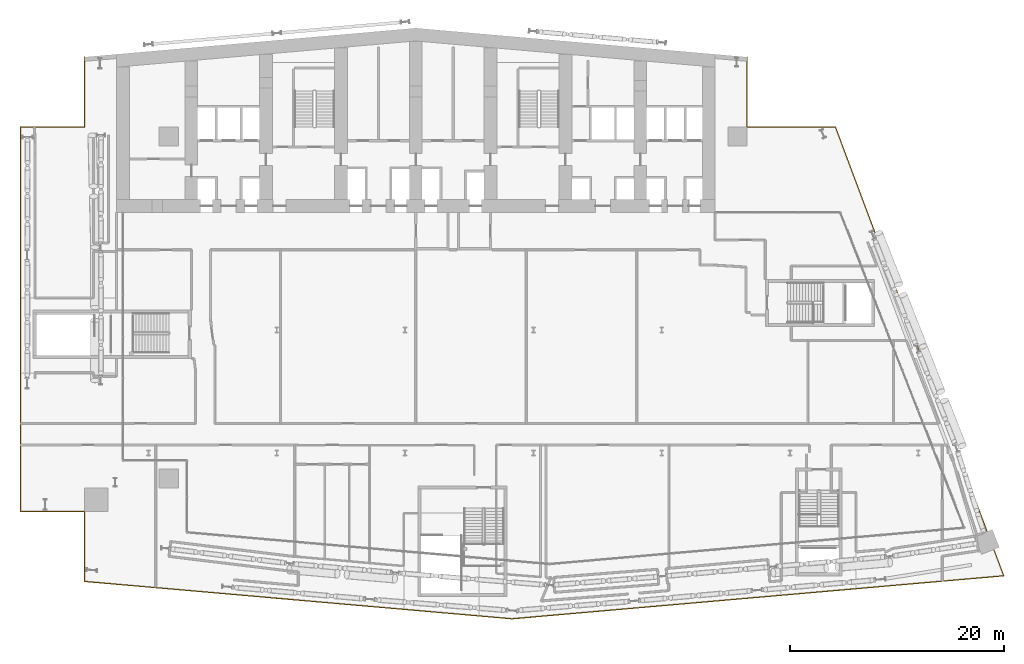
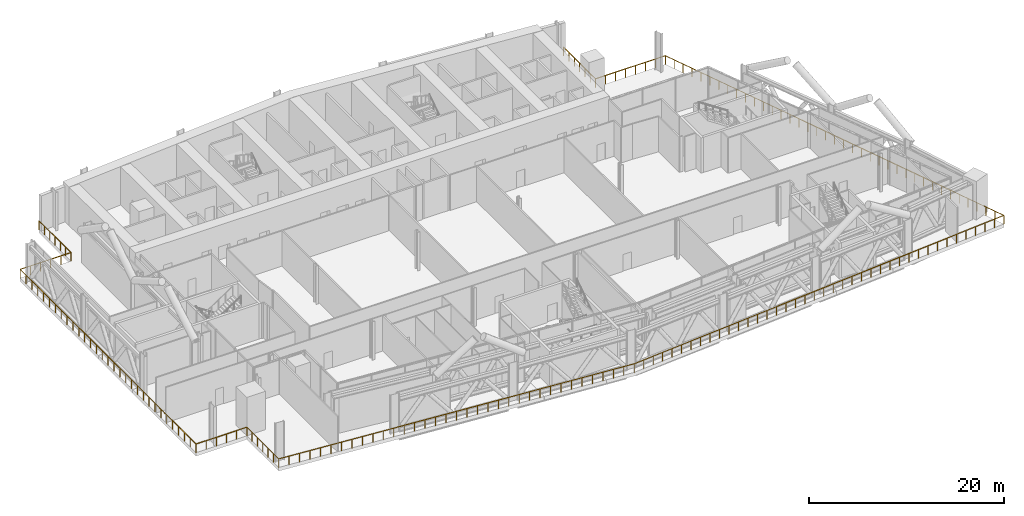
# One storey, part 37 of 39: 1 railing.
"""IFC4 building model written with IfcOpenShell, lengths in metres."""

import ifcopenshell
import ifcopenshell.guid

model = None  # the IFC model being written
_history = None  # IfcOwnerHistory: only IFC2X3 demands one
_inside = {}  # id of a spatial element -> (the spatial element, [elements in it])
_under = {}  # id of a project, library or spatial element -> (it, [spatial elements below it])
_declared = {}  # id of a project -> (the project, [libraries it declares])
_typed = {}  # id of a type object -> (the type object, [elements of that type])
_made_of = {}  # id of a material, layer set ... -> (it, [elements and type objects made of it])


def new_model(schema):
    """Start an empty IFC model of exactly this schema.

    Asked for "IFC4X3", IfcOpenShell would pick the latest addendum, in which some entities
    have other attributes; the version numbers below select the first issue.
    IFC2X3 requires an IfcOwnerHistory on every rooted entity: one is made here for all.
    """
    global model, _history
    if schema == "IFC4X3":
        model = ifcopenshell.file(schema_version=(4, 3, 0, 0))
    else:
        model = ifcopenshell.file(schema=schema)
    _inside.clear()
    _under.clear()
    _declared.clear()
    _typed.clear()
    _made_of.clear()
    _history = None
    if model.schema == "IFC2X3":
        org = make("IfcOrganization", Name="unknown")
        user = make(
            "IfcPersonAndOrganization",
            ThePerson=make("IfcPerson", FamilyName="unknown"),
            TheOrganization=org,
        )
        app = make(
            "IfcApplication",
            ApplicationDeveloper=org,
            Version="unknown",
            ApplicationFullName="unknown",
            ApplicationIdentifier="unknown",
        )
        _history = make(
            "IfcOwnerHistory",
            OwningUser=user,
            OwningApplication=app,
            ChangeAction="ADDED",
            CreationDate=0,
        )
    return model


def make(cls, **values):
    """One entity of the class cls with the attributes given. An attribute that is None is left unset."""
    return model.create_entity(
        cls, **{name: value for name, value in values.items() if value is not None}
    )


def rooted(cls, **values):
    """An entity with a GlobalId (a new one), such as an element, a storey or a relation."""
    return make(cls, GlobalId=ifcopenshell.guid.new(), OwnerHistory=_history, **values)


def si_unit(unit_type, name, prefix=None):
    """IfcSIUnit, for example si_unit("LENGTHUNIT", "METRE", prefix="MILLI")."""
    return make("IfcSIUnit", UnitType=unit_type, Prefix=prefix, Name=name)


def assignment(units):
    """IfcUnitAssignment: the units of a project."""
    return None if units is None else make("IfcUnitAssignment", Units=units)


def point(xyz):
    """IfcCartesianPoint."""
    return None if xyz is None else make("IfcCartesianPoint", Coordinates=xyz)


def direction(xyz):
    """IfcDirection."""
    return None if xyz is None else make("IfcDirection", DirectionRatios=xyz)


def frame(location, z_axis=None, x_axis=None):
    """IfcAxis2Placement3D, a coordinate frame: its origin and axes. An axis left out is left unset."""
    return make(
        "IfcAxis2Placement3D",
        Location=point(location),
        Axis=direction(z_axis),
        RefDirection=direction(x_axis),
    )


def frame_2d(location, x_axis=None):
    """IfcAxis2Placement2D, a coordinate frame in the plane: its origin and x axis."""
    return make(
        "IfcAxis2Placement2D", Location=point(location), RefDirection=direction(x_axis)
    )


def origin():
    """The frame at (0, 0, 0) with its axes left unset."""
    return frame((0.0, 0.0, 0.0))


def origin_2d():
    """The frame at (0, 0) in the plane with its x axis left unset."""
    return frame_2d((0.0, 0.0))


def place(relative_to, where):
    """IfcLocalPlacement: puts the frame where relative to a parent placement (None: the world)."""
    return make(
        "IfcLocalPlacement", PlacementRelTo=relative_to, RelativePlacement=where
    )


def context(
    kind, dimensions, precision=None, world=None, true_north=None, identifier=None
):
    """IfcGeometricRepresentationContext, for example the 3D "Model" context."""
    return make(
        "IfcGeometricRepresentationContext",
        ContextIdentifier=identifier,
        ContextType=kind,
        CoordinateSpaceDimension=dimensions,
        Precision=precision,
        WorldCoordinateSystem=world,
        TrueNorth=true_north,
    )


def subcontext(parent, identifier, kind, view, scale=None):
    """IfcGeometricRepresentationSubContext, for example "Body" below "Model"."""
    return make(
        "IfcGeometricRepresentationSubContext",
        ContextIdentifier=identifier,
        ContextType=kind,
        ParentContext=parent,
        TargetScale=scale,
        TargetView=view,
    )


def project(units=None, contexts=None):
    """IfcProject with its units and contexts."""
    return rooted(
        "IfcProject",
        Name="project",
        RepresentationContexts=contexts,
        UnitsInContext=assignment(units),
    )


def spatial(cls, under=None, at=None, **own):
    """A site, building, storey or space (cls), placed at a placement, below another one or the project."""
    s = rooted(cls, ObjectPlacement=at, **own)
    if under is not None:
        _under.setdefault(under.id(), (under, []))[1].append(s)
    return s


def profile(cls, at=None, kind="AREA", **sizes):
    """A parametric profile (cls). Its sizes go by their IFC names, for example OverallWidth=200.0."""
    return make(cls, ProfileType=kind, Position=at, **sizes)


def circle(**sizes):
    """IfcCircleProfileDef."""
    return profile("IfcCircleProfileDef", **sizes)


def extrude(swept, where, along, depth):
    """IfcExtrudedAreaSolid: the profile swept, set in the frame where, extruded along a direction by depth."""
    return make(
        "IfcExtrudedAreaSolid",
        SweptArea=swept,
        Position=where,
        ExtrudedDirection=direction(along),
        Depth=depth,
    )


def shape(context_of_items, identifier, shape_type, items):
    """IfcShapeRepresentation: the items that make up one representation, for example the "Body"."""
    return make(
        "IfcShapeRepresentation",
        ContextOfItems=context_of_items,
        RepresentationIdentifier=identifier,
        RepresentationType=shape_type,
        Items=items,
    )


def material(Name=None, Category=None):
    """IfcMaterial."""
    return make("IfcMaterial", Name=Name, Category=Category)


def made_of(thing, what):
    """Note that an element or type object is made of a material, layer set ...; save() writes the relation."""
    if what is not None:
        _made_of.setdefault(what.id(), (what, []))[1].append(thing)
    return thing


def type_object(cls, material=None, **own):
    """A type object (cls), such as IfcWallType, which elements share."""
    return made_of(rooted(cls, **own), material)


def element(
    cls,
    number,
    at=None,
    inside=None,
    cuts=None,
    type_object=None,
    material=None,
    context=None,
    identifier="Body",
    shape_type=None,
    held_by="IfcProductDefinitionShape",
    body=None,
    shapes=None,
    **own,
):
    """One element of the class cls, such as IfcWall. Its Tag is "e" and its number.

    at: its placement. inside: the storey or other place that contains it. cuts: it is an
    opening in that element (IfcRelVoidsElement). A single representation is given by context,
    identifier, shape_type and body (its items); several are given by shapes. held_by: the class
    of the entity that holds the representations. save() writes the other relations.
    """
    e = rooted(cls, Tag="e%d" % number, ObjectPlacement=at, **own)
    if body is not None:
        shapes = [shape(context, identifier, shape_type, body)]
    if shapes is not None:
        e.Representation = make(held_by, Representations=shapes)
    if inside is not None:
        _inside.setdefault(inside.id(), (inside, []))[1].append(e)
    if cuts is not None:
        rooted(
            "IfcRelVoidsElement", RelatingBuildingElement=cuts, RelatedOpeningElement=e
        )
    if type_object is not None:
        _typed.setdefault(type_object.id(), (type_object, []))[1].append(e)
    return made_of(e, material)


def aggregate(whole, parts):
    """IfcRelAggregates: a whole, such as a stair, and the parts it consists of."""
    return rooted("IfcRelAggregates", RelatingObject=whole, RelatedObjects=parts)


def save(model, path):
    """Write the relations noted so far, then the file.

    IfcRelAggregates (storeys below a building ...), IfcRelContainedInSpatialStructure (elements
    in a storey), IfcRelDefinesByType, IfcRelAssociatesMaterial and IfcRelDeclares: one each for
    every whole, place, type object, material and project.
    """
    for whole, parts in _under.values():
        aggregate(whole, parts)
    for where, things in _inside.values():
        rooted(
            "IfcRelContainedInSpatialStructure",
            RelatedElements=things,
            RelatingStructure=where,
        )
    for kind, things in _typed.values():
        rooted("IfcRelDefinesByType", RelatedObjects=things, RelatingType=kind)
    for what, things in _made_of.values():
        rooted("IfcRelAssociatesMaterial", RelatedObjects=things, RelatingMaterial=what)
    for by, libraries in _declared.values():
        rooted("IfcRelDeclares", RelatingContext=by, RelatedDefinitions=libraries)
    model.write(path)


model = new_model("IFC4")

# Units and contexts
model_context = context("Model", 3, precision=1e-05, world=origin(), true_north=direction((0.0, 1.0)))
body_context = subcontext(model_context, "Body", "Model", "MODEL_VIEW")
ifc_project = project(units=[si_unit("LENGTHUNIT", "METRE"), si_unit("AREAUNIT", "SQUARE_METRE"), si_unit("VOLUMEUNIT", "CUBIC_METRE"), si_unit("PLANEANGLEUNIT", "RADIAN"), si_unit("MASSUNIT", "GRAM", prefix="KILO")], contexts=[model_context])

# Site, building, storey
site_placement = place(None, origin())
site = spatial("IfcSite", under=ifc_project, at=site_placement, CompositionType="ELEMENT")
building_placement = place(site_placement, origin())
building = spatial("IfcBuilding", under=site, at=building_placement, Name="Wharfspan Tower", CompositionType="ELEMENT")
storey_placement = place(building_placement, frame((0.0, 0.0, 91.899902)))
storey = spatial("IfcBuildingStorey", under=building, at=storey_placement, Name="L20", CompositionType="ELEMENT", Elevation=91.899902)

# Railing
ifc_material = material(Name="Steel S355J2", Category="steel")
railing_type = type_object("IfcRailingType", Name="GUARD 1100 STEEL AND GLASS", PredefinedType="GUARDRAIL", material=ifc_material)
railing_placement = place(storey_placement, frame((6.0, 48.524902, 0.0)))
element("IfcRailing", 1, at=railing_placement, inside=storey, type_object=railing_type, Name="Band edge guard", PredefinedType="GUARDRAIL", context=body_context, shape_type="SweptSolid", body=[
    extrude(circle(Radius=0.024902, at=origin_2d()), frame((0.0, 0.0, 1.075195), z_axis=(0.0, -1.0, 0.0), x_axis=(1.0, 0.0, 0.0)), (0.0, 0.0, 1.0), 6.524902),
    extrude(circle(Radius=0.024902, at=origin_2d()), frame((0.0, -6.524902, 1.075195), z_axis=(-1.0, 0.0, 0.0), x_axis=(0.0, -1.0, 0.0)), (0.0, 0.0, 1.0), 6.0),
    extrude(circle(Radius=0.024902, at=origin_2d()), frame((-6.0, -6.524902, 1.075195), z_axis=(0.0, -1.0, 0.0), x_axis=(1.0, 0.0, 0.0)), (0.0, 0.0, 1.0), 36.0),
    extrude(circle(Radius=0.024902, at=origin_2d()), frame((-6.0, -42.524902, 1.075195), z_axis=(1.0, 0.0, 0.0), x_axis=(0.0, 1.0, 0.0)), (0.0, 0.0, 1.0), 6.0),
    extrude(circle(Radius=0.024902, at=origin_2d()), frame((0.0, -42.524902, 1.075195), z_axis=(0.0, -1.0, 0.0), x_axis=(1.0, 0.0, 0.0)), (0.0, 0.0, 1.0), 6.524902),
    extrude(circle(Radius=0.024902, at=origin_2d()), frame((0.0, -49.049805, 1.075195), z_axis=(0.996195, -0.087155, 0.0), x_axis=(0.087155, 0.996195, 0.0)), (0.0, 0.0, 1.0), 40.152832),
    extrude(circle(Radius=0.024902, at=origin_2d()), frame((40.0, -52.549316, 1.075195), z_axis=(0.996195, 0.087154, 0.0), x_axis=(-0.087154, 0.996195, 0.0)), (0.0, 0.0, 1.0), 46.175781),
    extrude(circle(Radius=0.024902, at=origin_2d()), frame((86.0, -48.524902, 1.075195), z_axis=(-0.351123, 0.936329, 0.0), x_axis=(-0.936329, -0.351123, 0.0)), (0.0, 0.0, 1.0), 44.855957),
    extrude(circle(Radius=0.024902, at=origin_2d()), frame((70.25, -6.524902, 1.075195), z_axis=(-1.0, 0.0, 0.0), x_axis=(0.0, -1.0, 0.0)), (0.0, 0.0, 1.0), 8.25),
    extrude(circle(Radius=0.024902, at=origin_2d()), frame((62.0, -6.524902, 1.075195), z_axis=(0.0, 1.0, 0.0), x_axis=(-1.0, 0.0, 0.0)), (0.0, 0.0, 1.0), 6.524902),
    extrude(circle(Radius=0.02002, at=origin_2d()), origin(), (0.0, 0.0, 1.0), 1.050049),
    extrude(circle(Radius=0.02002, at=origin_2d()), frame((0.0, -1.087402, 0.0)), (0.0, 0.0, 1.0), 1.050049),
    extrude(circle(Radius=0.02002, at=origin_2d()), frame((0.0, -2.175049, 0.0)), (0.0, 0.0, 1.0), 1.050049),
    extrude(circle(Radius=0.02002, at=origin_2d()), frame((0.0, -3.262451, 0.0)), (0.0, 0.0, 1.0), 1.050049),
    extrude(circle(Radius=0.02002, at=origin_2d()), frame((0.0, -4.349854, 0.0)), (0.0, 0.0, 1.0), 1.050049),
    extrude(circle(Radius=0.02002, at=origin_2d()), frame((0.0, -5.4375, 0.0)), (0.0, 0.0, 1.0), 1.050049),
    extrude(circle(Radius=0.02002, at=origin_2d()), frame((0.0, -6.524902, 0.0)), (0.0, 0.0, 1.0), 1.050049),
    extrude(circle(Radius=0.02002, at=origin_2d()), frame((-1.199951, -6.524902, 0.0)), (0.0, 0.0, 1.0), 1.050049),
    extrude(circle(Radius=0.02002, at=origin_2d()), frame((-2.399902, -6.524902, 0.0)), (0.0, 0.0, 1.0), 1.050049),
    extrude(circle(Radius=0.02002, at=origin_2d()), frame((-3.600098, -6.524902, 0.0)), (0.0, 0.0, 1.0), 1.050049),
    extrude(circle(Radius=0.02002, at=origin_2d()), frame((-4.800049, -6.524902, 0.0)), (0.0, 0.0, 1.0), 1.050049),
    extrude(circle(Radius=0.02002, at=origin_2d()), frame((-6.0, -6.524902, 0.0)), (0.0, 0.0, 1.0), 1.050049),
    extrude(circle(Radius=0.02002, at=origin_2d()), frame((-6.0, -7.724854, 0.0)), (0.0, 0.0, 1.0), 1.050049),
    extrude(circle(Radius=0.02002, at=origin_2d()), frame((-6.0, -8.924805, 0.0)), (0.0, 0.0, 1.0), 1.050049),
    extrude(circle(Radius=0.02002, at=origin_2d()), frame((-6.0, -10.125, 0.0)), (0.0, 0.0, 1.0), 1.050049),
    extrude(circle(Radius=0.02002, at=origin_2d()), frame((-6.0, -11.324951, 0.0)), (0.0, 0.0, 1.0), 1.050049),
    extrude(circle(Radius=0.02002, at=origin_2d()), frame((-6.0, -12.524902, 0.0)), (0.0, 0.0, 1.0), 1.050049),
    extrude(circle(Radius=0.02002, at=origin_2d()), frame((-6.0, -13.724854, 0.0)), (0.0, 0.0, 1.0), 1.050049),
    extrude(circle(Radius=0.02002, at=origin_2d()), frame((-6.0, -14.924805, 0.0)), (0.0, 0.0, 1.0), 1.050049),
    extrude(circle(Radius=0.02002, at=origin_2d()), frame((-6.0, -16.125, 0.0)), (0.0, 0.0, 1.0), 1.050049),
    extrude(circle(Radius=0.02002, at=origin_2d()), frame((-6.0, -17.324951, 0.0)), (0.0, 0.0, 1.0), 1.050049),
    extrude(circle(Radius=0.02002, at=origin_2d()), frame((-6.0, -18.524902, 0.0)), (0.0, 0.0, 1.0), 1.050049),
    extrude(circle(Radius=0.02002, at=origin_2d()), frame((-6.0, -19.724854, 0.0)), (0.0, 0.0, 1.0), 1.050049),
    extrude(circle(Radius=0.02002, at=origin_2d()), frame((-6.0, -20.924805, 0.0)), (0.0, 0.0, 1.0), 1.050049),
    extrude(circle(Radius=0.02002, at=origin_2d()), frame((-6.0, -22.125, 0.0)), (0.0, 0.0, 1.0), 1.050049),
    extrude(circle(Radius=0.02002, at=origin_2d()), frame((-6.0, -23.324951, 0.0)), (0.0, 0.0, 1.0), 1.050049),
    extrude(circle(Radius=0.02002, at=origin_2d()), frame((-6.0, -24.524902, 0.0)), (0.0, 0.0, 1.0), 1.050049),
    extrude(circle(Radius=0.02002, at=origin_2d()), frame((-6.0, -25.724854, 0.0)), (0.0, 0.0, 1.0), 1.050049),
    extrude(circle(Radius=0.02002, at=origin_2d()), frame((-6.0, -26.924805, 0.0)), (0.0, 0.0, 1.0), 1.050049),
    extrude(circle(Radius=0.02002, at=origin_2d()), frame((-6.0, -28.125, 0.0)), (0.0, 0.0, 1.0), 1.050049),
    extrude(circle(Radius=0.02002, at=origin_2d()), frame((-6.0, -29.324951, 0.0)), (0.0, 0.0, 1.0), 1.050049),
    extrude(circle(Radius=0.02002, at=origin_2d()), frame((-6.0, -30.524902, 0.0)), (0.0, 0.0, 1.0), 1.050049),
    extrude(circle(Radius=0.02002, at=origin_2d()), frame((-6.0, -31.724854, 0.0)), (0.0, 0.0, 1.0), 1.050049),
    extrude(circle(Radius=0.02002, at=origin_2d()), frame((-6.0, -32.924805, 0.0)), (0.0, 0.0, 1.0), 1.050049),
    extrude(circle(Radius=0.02002, at=origin_2d()), frame((-6.0, -34.125, 0.0)), (0.0, 0.0, 1.0), 1.050049),
    extrude(circle(Radius=0.02002, at=origin_2d()), frame((-6.0, -35.324951, 0.0)), (0.0, 0.0, 1.0), 1.050049),
    extrude(circle(Radius=0.02002, at=origin_2d()), frame((-6.0, -36.524902, 0.0)), (0.0, 0.0, 1.0), 1.050049),
    extrude(circle(Radius=0.02002, at=origin_2d()), frame((-6.0, -37.724854, 0.0)), (0.0, 0.0, 1.0), 1.050049),
    extrude(circle(Radius=0.02002, at=origin_2d()), frame((-6.0, -38.924805, 0.0)), (0.0, 0.0, 1.0), 1.050049),
    extrude(circle(Radius=0.02002, at=origin_2d()), frame((-6.0, -40.125, 0.0)), (0.0, 0.0, 1.0), 1.050049),
    extrude(circle(Radius=0.02002, at=origin_2d()), frame((-6.0, -41.324951, 0.0)), (0.0, 0.0, 1.0), 1.050049),
    extrude(circle(Radius=0.02002, at=origin_2d()), frame((-6.0, -42.524902, 0.0)), (0.0, 0.0, 1.0), 1.050049),
    extrude(circle(Radius=0.02002, at=origin_2d()), frame((-4.800049, -42.524902, 0.0)), (0.0, 0.0, 1.0), 1.050049),
    extrude(circle(Radius=0.02002, at=origin_2d()), frame((-3.600098, -42.524902, 0.0)), (0.0, 0.0, 1.0), 1.050049),
    extrude(circle(Radius=0.02002, at=origin_2d()), frame((-2.399902, -42.524902, 0.0)), (0.0, 0.0, 1.0), 1.050049),
    extrude(circle(Radius=0.02002, at=origin_2d()), frame((-1.199951, -42.524902, 0.0)), (0.0, 0.0, 1.0), 1.050049),
    extrude(circle(Radius=0.02002, at=origin_2d()), frame((0.0, -42.524902, 0.0)), (0.0, 0.0, 1.0), 1.050049),
    extrude(circle(Radius=0.02002, at=origin_2d()), frame((0.0, -43.612305, 0.0)), (0.0, 0.0, 1.0), 1.050049),
    extrude(circle(Radius=0.02002, at=origin_2d()), frame((0.0, -44.699951, 0.0)), (0.0, 0.0, 1.0), 1.050049),
    extrude(circle(Radius=0.02002, at=origin_2d()), frame((0.0, -45.787354, 0.0)), (0.0, 0.0, 1.0), 1.050049),
    extrude(circle(Radius=0.02002, at=origin_2d()), frame((0.0, -46.874756, 0.0)), (0.0, 0.0, 1.0), 1.050049),
    extrude(circle(Radius=0.02002, at=origin_2d()), frame((0.0, -47.962402, 0.0)), (0.0, 0.0, 1.0), 1.050049),
    extrude(circle(Radius=0.02002, at=origin_2d()), frame((0.0, -49.049805, 0.0)), (0.0, 0.0, 1.0), 1.050049),
    extrude(circle(Radius=0.02002, at=origin_2d()), frame((1.176514, -49.152832, 0.0)), (0.0, 0.0, 1.0), 1.050049),
    extrude(circle(Radius=0.02002, at=origin_2d()), frame((2.353027, -49.255615, 0.0)), (0.0, 0.0, 1.0), 1.050049),
    extrude(circle(Radius=0.02002, at=origin_2d()), frame((3.529297, -49.358643, 0.0)), (0.0, 0.0, 1.0), 1.050049),
    extrude(circle(Radius=0.02002, at=origin_2d()), frame((4.705811, -49.461426, 0.0)), (0.0, 0.0, 1.0), 1.050049),
    extrude(circle(Radius=0.02002, at=origin_2d()), frame((5.882324, -49.564453, 0.0)), (0.0, 0.0, 1.0), 1.050049),
    extrude(circle(Radius=0.02002, at=origin_2d()), frame((7.058838, -49.66748, 0.0)), (0.0, 0.0, 1.0), 1.050049),
    extrude(circle(Radius=0.02002, at=origin_2d()), frame((8.235352, -49.770264, 0.0)), (0.0, 0.0, 1.0), 1.050049),
    extrude(circle(Radius=0.02002, at=origin_2d()), frame((9.411865, -49.873291, 0.0)), (0.0, 0.0, 1.0), 1.050049),
    extrude(circle(Radius=0.02002, at=origin_2d()), frame((10.588135, -49.976074, 0.0)), (0.0, 0.0, 1.0), 1.050049),
    extrude(circle(Radius=0.02002, at=origin_2d()), frame((11.764648, -50.079102, 0.0)), (0.0, 0.0, 1.0), 1.050049),
    extrude(circle(Radius=0.02002, at=origin_2d()), frame((12.941162, -50.181885, 0.0)), (0.0, 0.0, 1.0), 1.050049),
    extrude(circle(Radius=0.02002, at=origin_2d()), frame((14.117676, -50.284912, 0.0)), (0.0, 0.0, 1.0), 1.050049),
    extrude(circle(Radius=0.02002, at=origin_2d()), frame((15.294189, -50.387939, 0.0)), (0.0, 0.0, 1.0), 1.050049),
    extrude(circle(Radius=0.02002, at=origin_2d()), frame((16.470703, -50.490723, 0.0)), (0.0, 0.0, 1.0), 1.050049),
    extrude(circle(Radius=0.02002, at=origin_2d()), frame((17.646973, -50.59375, 0.0)), (0.0, 0.0, 1.0), 1.050049),
    extrude(circle(Radius=0.02002, at=origin_2d()), frame((18.823486, -50.696533, 0.0)), (0.0, 0.0, 1.0), 1.050049),
    extrude(circle(Radius=0.02002, at=origin_2d()), frame((20.0, -50.799561, 0.0)), (0.0, 0.0, 1.0), 1.050049),
    extrude(circle(Radius=0.02002, at=origin_2d()), frame((21.176514, -50.902588, 0.0)), (0.0, 0.0, 1.0), 1.050049),
    extrude(circle(Radius=0.02002, at=origin_2d()), frame((22.353027, -51.005371, 0.0)), (0.0, 0.0, 1.0), 1.050049),
    extrude(circle(Radius=0.02002, at=origin_2d()), frame((23.529297, -51.108398, 0.0)), (0.0, 0.0, 1.0), 1.050049),
    extrude(circle(Radius=0.02002, at=origin_2d()), frame((24.705811, -51.211182, 0.0)), (0.0, 0.0, 1.0), 1.050049),
    extrude(circle(Radius=0.02002, at=origin_2d()), frame((25.882324, -51.314209, 0.0)), (0.0, 0.0, 1.0), 1.050049),
    extrude(circle(Radius=0.02002, at=origin_2d()), frame((27.058838, -51.417236, 0.0)), (0.0, 0.0, 1.0), 1.050049),
    extrude(circle(Radius=0.02002, at=origin_2d()), frame((28.235352, -51.52002, 0.0)), (0.0, 0.0, 1.0), 1.050049),
    extrude(circle(Radius=0.02002, at=origin_2d()), frame((29.411865, -51.623047, 0.0)), (0.0, 0.0, 1.0), 1.050049),
    extrude(circle(Radius=0.02002, at=origin_2d()), frame((30.588135, -51.72583, 0.0)), (0.0, 0.0, 1.0), 1.050049),
    extrude(circle(Radius=0.02002, at=origin_2d()), frame((31.764648, -51.828857, 0.0)), (0.0, 0.0, 1.0), 1.050049),
    extrude(circle(Radius=0.02002, at=origin_2d()), frame((32.941162, -51.931641, 0.0)), (0.0, 0.0, 1.0), 1.050049),
    extrude(circle(Radius=0.02002, at=origin_2d()), frame((34.117676, -52.034668, 0.0)), (0.0, 0.0, 1.0), 1.050049),
    extrude(circle(Radius=0.02002, at=origin_2d()), frame((35.294189, -52.137695, 0.0)), (0.0, 0.0, 1.0), 1.050049),
    extrude(circle(Radius=0.02002, at=origin_2d()), frame((36.470703, -52.240479, 0.0)), (0.0, 0.0, 1.0), 1.050049),
    extrude(circle(Radius=0.02002, at=origin_2d()), frame((37.646973, -52.343506, 0.0)), (0.0, 0.0, 1.0), 1.050049),
    extrude(circle(Radius=0.02002, at=origin_2d()), frame((38.823486, -52.446289, 0.0)), (0.0, 0.0, 1.0), 1.050049),
    extrude(circle(Radius=0.02002, at=origin_2d()), frame((40.0, -52.549316, 0.0)), (0.0, 0.0, 1.0), 1.050049),
    extrude(circle(Radius=0.02002, at=origin_2d()), frame((41.179443, -52.446045, 0.0)), (0.0, 0.0, 1.0), 1.050049),
    extrude(circle(Radius=0.02002, at=origin_2d()), frame((42.358887, -52.343018, 0.0)), (0.0, 0.0, 1.0), 1.050049),
    extrude(circle(Radius=0.02002, at=origin_2d()), frame((43.538574, -52.239746, 0.0)), (0.0, 0.0, 1.0), 1.050049),
    extrude(circle(Radius=0.02002, at=origin_2d()), frame((44.718018, -52.136475, 0.0)), (0.0, 0.0, 1.0), 1.050049),
    extrude(circle(Radius=0.02002, at=origin_2d()), frame((45.897461, -52.033447, 0.0)), (0.0, 0.0, 1.0), 1.050049),
    extrude(circle(Radius=0.02002, at=origin_2d()), frame((47.076904, -51.930176, 0.0)), (0.0, 0.0, 1.0), 1.050049),
    extrude(circle(Radius=0.02002, at=origin_2d()), frame((48.256348, -51.826904, 0.0)), (0.0, 0.0, 1.0), 1.050049),
    extrude(circle(Radius=0.02002, at=origin_2d()), frame((49.435791, -51.723877, 0.0)), (0.0, 0.0, 1.0), 1.050049),
    extrude(circle(Radius=0.02002, at=origin_2d()), frame((50.615479, -51.620605, 0.0)), (0.0, 0.0, 1.0), 1.050049),
    extrude(circle(Radius=0.02002, at=origin_2d()), frame((51.794922, -51.517334, 0.0)), (0.0, 0.0, 1.0), 1.050049),
    extrude(circle(Radius=0.02002, at=origin_2d()), frame((52.974365, -51.414307, 0.0)), (0.0, 0.0, 1.0), 1.050049),
    extrude(circle(Radius=0.02002, at=origin_2d()), frame((54.153809, -51.311035, 0.0)), (0.0, 0.0, 1.0), 1.050049),
    extrude(circle(Radius=0.02002, at=origin_2d()), frame((55.333252, -51.207764, 0.0)), (0.0, 0.0, 1.0), 1.050049),
    extrude(circle(Radius=0.02002, at=origin_2d()), frame((56.512939, -51.104736, 0.0)), (0.0, 0.0, 1.0), 1.050049),
    extrude(circle(Radius=0.02002, at=origin_2d()), frame((57.692383, -51.001465, 0.0)), (0.0, 0.0, 1.0), 1.050049),
    extrude(circle(Radius=0.02002, at=origin_2d()), frame((58.871826, -50.898193, 0.0)), (0.0, 0.0, 1.0), 1.050049),
    extrude(circle(Radius=0.02002, at=origin_2d()), frame((60.05127, -50.795166, 0.0)), (0.0, 0.0, 1.0), 1.050049),
    extrude(circle(Radius=0.02002, at=origin_2d()), frame((61.230713, -50.691895, 0.0)), (0.0, 0.0, 1.0), 1.050049),
    extrude(circle(Radius=0.02002, at=origin_2d()), frame((62.410156, -50.588623, 0.0)), (0.0, 0.0, 1.0), 1.050049),
    extrude(circle(Radius=0.02002, at=origin_2d()), frame((63.589844, -50.485596, 0.0)), (0.0, 0.0, 1.0), 1.050049),
    extrude(circle(Radius=0.02002, at=origin_2d()), frame((64.769287, -50.382324, 0.0)), (0.0, 0.0, 1.0), 1.050049),
    extrude(circle(Radius=0.02002, at=origin_2d()), frame((65.94873, -50.279053, 0.0)), (0.0, 0.0, 1.0), 1.050049),
    extrude(circle(Radius=0.02002, at=origin_2d()), frame((67.128174, -50.176025, 0.0)), (0.0, 0.0, 1.0), 1.050049),
    extrude(circle(Radius=0.02002, at=origin_2d()), frame((68.307617, -50.072754, 0.0)), (0.0, 0.0, 1.0), 1.050049),
    extrude(circle(Radius=0.02002, at=origin_2d()), frame((69.487061, -49.969482, 0.0)), (0.0, 0.0, 1.0), 1.050049),
    extrude(circle(Radius=0.02002, at=origin_2d()), frame((70.666748, -49.866455, 0.0)), (0.0, 0.0, 1.0), 1.050049),
    extrude(circle(Radius=0.02002, at=origin_2d()), frame((71.846191, -49.763184, 0.0)), (0.0, 0.0, 1.0), 1.050049),
    extrude(circle(Radius=0.02002, at=origin_2d()), frame((73.025635, -49.659912, 0.0)), (0.0, 0.0, 1.0), 1.050049),
    extrude(circle(Radius=0.02002, at=origin_2d()), frame((74.205078, -49.556885, 0.0)), (0.0, 0.0, 1.0), 1.050049),
    extrude(circle(Radius=0.02002, at=origin_2d()), frame((75.384521, -49.453613, 0.0)), (0.0, 0.0, 1.0), 1.050049),
    extrude(circle(Radius=0.02002, at=origin_2d()), frame((76.564209, -49.350342, 0.0)), (0.0, 0.0, 1.0), 1.050049),
    extrude(circle(Radius=0.02002, at=origin_2d()), frame((77.743652, -49.247314, 0.0)), (0.0, 0.0, 1.0), 1.050049),
    extrude(circle(Radius=0.02002, at=origin_2d()), frame((78.923096, -49.144043, 0.0)), (0.0, 0.0, 1.0), 1.050049),
    extrude(circle(Radius=0.02002, at=origin_2d()), frame((80.102539, -49.040771, 0.0)), (0.0, 0.0, 1.0), 1.050049),
    extrude(circle(Radius=0.02002, at=origin_2d()), frame((81.281982, -48.937744, 0.0)), (0.0, 0.0, 1.0), 1.050049),
    extrude(circle(Radius=0.02002, at=origin_2d()), frame((82.461426, -48.834473, 0.0)), (0.0, 0.0, 1.0), 1.050049),
    extrude(circle(Radius=0.02002, at=origin_2d()), frame((83.641113, -48.731201, 0.0)), (0.0, 0.0, 1.0), 1.050049),
    extrude(circle(Radius=0.02002, at=origin_2d()), frame((84.820557, -48.628174, 0.0)), (0.0, 0.0, 1.0), 1.050049),
    extrude(circle(Radius=0.02002, at=origin_2d()), frame((86.0, -48.524902, 0.0)), (0.0, 0.0, 1.0), 1.050049),
    extrude(circle(Radius=0.02002, at=origin_2d()), frame((85.585449, -47.419678, 0.0)), (0.0, 0.0, 1.0), 1.050049),
    extrude(circle(Radius=0.02002, at=origin_2d()), frame((85.171143, -46.314453, 0.0)), (0.0, 0.0, 1.0), 1.050049),
    extrude(circle(Radius=0.02002, at=origin_2d()), frame((84.756592, -45.209229, 0.0)), (0.0, 0.0, 1.0), 1.050049),
    extrude(circle(Radius=0.02002, at=origin_2d()), frame((84.342041, -44.10376, 0.0)), (0.0, 0.0, 1.0), 1.050049),
    extrude(circle(Radius=0.02002, at=origin_2d()), frame((83.927734, -42.998535, 0.0)), (0.0, 0.0, 1.0), 1.050049),
    extrude(circle(Radius=0.02002, at=origin_2d()), frame((83.513184, -41.893311, 0.0)), (0.0, 0.0, 1.0), 1.050049),
    extrude(circle(Radius=0.02002, at=origin_2d()), frame((83.098633, -40.788086, 0.0)), (0.0, 0.0, 1.0), 1.050049),
    extrude(circle(Radius=0.02002, at=origin_2d()), frame((82.684326, -39.682861, 0.0)), (0.0, 0.0, 1.0), 1.050049),
    extrude(circle(Radius=0.02002, at=origin_2d()), frame((82.269775, -38.577637, 0.0)), (0.0, 0.0, 1.0), 1.050049),
    extrude(circle(Radius=0.02002, at=origin_2d()), frame((81.855225, -37.472168, 0.0)), (0.0, 0.0, 1.0), 1.050049),
    extrude(circle(Radius=0.02002, at=origin_2d()), frame((81.440674, -36.366943, 0.0)), (0.0, 0.0, 1.0), 1.050049),
    extrude(circle(Radius=0.02002, at=origin_2d()), frame((81.026367, -35.261719, 0.0)), (0.0, 0.0, 1.0), 1.050049),
    extrude(circle(Radius=0.02002, at=origin_2d()), frame((80.611816, -34.156494, 0.0)), (0.0, 0.0, 1.0), 1.050049),
    extrude(circle(Radius=0.02002, at=origin_2d()), frame((80.197266, -33.05127, 0.0)), (0.0, 0.0, 1.0), 1.050049),
    extrude(circle(Radius=0.02002, at=origin_2d()), frame((79.782959, -31.946045, 0.0)), (0.0, 0.0, 1.0), 1.050049),
    extrude(circle(Radius=0.02002, at=origin_2d()), frame((79.368408, -30.840576, 0.0)), (0.0, 0.0, 1.0), 1.050049),
    extrude(circle(Radius=0.02002, at=origin_2d()), frame((78.953857, -29.735352, 0.0)), (0.0, 0.0, 1.0), 1.050049),
    extrude(circle(Radius=0.02002, at=origin_2d()), frame((78.539551, -28.630127, 0.0)), (0.0, 0.0, 1.0), 1.050049),
    extrude(circle(Radius=0.02002, at=origin_2d()), frame((78.125, -27.524902, 0.0)), (0.0, 0.0, 1.0), 1.050049),
    extrude(circle(Radius=0.02002, at=origin_2d()), frame((77.710449, -26.419678, 0.0)), (0.0, 0.0, 1.0), 1.050049),
    extrude(circle(Radius=0.02002, at=origin_2d()), frame((77.296143, -25.314453, 0.0)), (0.0, 0.0, 1.0), 1.050049),
    extrude(circle(Radius=0.02002, at=origin_2d()), frame((76.881592, -24.209229, 0.0)), (0.0, 0.0, 1.0), 1.050049),
    extrude(circle(Radius=0.02002, at=origin_2d()), frame((76.467041, -23.10376, 0.0)), (0.0, 0.0, 1.0), 1.050049),
    extrude(circle(Radius=0.02002, at=origin_2d()), frame((76.052734, -21.998535, 0.0)), (0.0, 0.0, 1.0), 1.050049),
    extrude(circle(Radius=0.02002, at=origin_2d()), frame((75.638184, -20.893311, 0.0)), (0.0, 0.0, 1.0), 1.050049),
    extrude(circle(Radius=0.02002, at=origin_2d()), frame((75.223633, -19.788086, 0.0)), (0.0, 0.0, 1.0), 1.050049),
    extrude(circle(Radius=0.02002, at=origin_2d()), frame((74.809326, -18.682861, 0.0)), (0.0, 0.0, 1.0), 1.050049),
    extrude(circle(Radius=0.02002, at=origin_2d()), frame((74.394775, -17.577637, 0.0)), (0.0, 0.0, 1.0), 1.050049),
    extrude(circle(Radius=0.02002, at=origin_2d()), frame((73.980225, -16.472168, 0.0)), (0.0, 0.0, 1.0), 1.050049),
    extrude(circle(Radius=0.02002, at=origin_2d()), frame((73.565674, -15.366943, 0.0)), (0.0, 0.0, 1.0), 1.050049),
    extrude(circle(Radius=0.02002, at=origin_2d()), frame((73.151367, -14.261719, 0.0)), (0.0, 0.0, 1.0), 1.050049),
    extrude(circle(Radius=0.02002, at=origin_2d()), frame((72.736816, -13.156494, 0.0)), (0.0, 0.0, 1.0), 1.050049),
    extrude(circle(Radius=0.02002, at=origin_2d()), frame((72.322266, -12.05127, 0.0)), (0.0, 0.0, 1.0), 1.050049),
    extrude(circle(Radius=0.02002, at=origin_2d()), frame((71.907959, -10.946045, 0.0)), (0.0, 0.0, 1.0), 1.050049),
    extrude(circle(Radius=0.02002, at=origin_2d()), frame((71.493408, -9.840576, 0.0)), (0.0, 0.0, 1.0), 1.050049),
    extrude(circle(Radius=0.02002, at=origin_2d()), frame((71.078857, -8.735352, 0.0)), (0.0, 0.0, 1.0), 1.050049),
    extrude(circle(Radius=0.02002, at=origin_2d()), frame((70.664551, -7.630127, 0.0)), (0.0, 0.0, 1.0), 1.050049),
    extrude(circle(Radius=0.02002, at=origin_2d()), frame((70.25, -6.524902, 0.0)), (0.0, 0.0, 1.0), 1.050049),
    extrude(circle(Radius=0.02002, at=origin_2d()), frame((69.071533, -6.524902, 0.0)), (0.0, 0.0, 1.0), 1.050049),
    extrude(circle(Radius=0.02002, at=origin_2d()), frame((67.892822, -6.524902, 0.0)), (0.0, 0.0, 1.0), 1.050049),
    extrude(circle(Radius=0.02002, at=origin_2d()), frame((66.714355, -6.524902, 0.0)), (0.0, 0.0, 1.0), 1.050049),
    extrude(circle(Radius=0.02002, at=origin_2d()), frame((65.535645, -6.524902, 0.0)), (0.0, 0.0, 1.0), 1.050049),
    extrude(circle(Radius=0.02002, at=origin_2d()), frame((64.357178, -6.524902, 0.0)), (0.0, 0.0, 1.0), 1.050049),
    extrude(circle(Radius=0.02002, at=origin_2d()), frame((63.178467, -6.524902, 0.0)), (0.0, 0.0, 1.0), 1.050049),
    extrude(circle(Radius=0.02002, at=origin_2d()), frame((62.0, -6.524902, 0.0)), (0.0, 0.0, 1.0), 1.050049),
    extrude(circle(Radius=0.02002, at=origin_2d()), frame((62.0, -5.4375, 0.0)), (0.0, 0.0, 1.0), 1.050049),
    extrude(circle(Radius=0.02002, at=origin_2d()), frame((62.0, -4.349854, 0.0)), (0.0, 0.0, 1.0), 1.050049),
    extrude(circle(Radius=0.02002, at=origin_2d()), frame((62.0, -3.262451, 0.0)), (0.0, 0.0, 1.0), 1.050049),
    extrude(circle(Radius=0.02002, at=origin_2d()), frame((62.0, -2.175049, 0.0)), (0.0, 0.0, 1.0), 1.050049),
    extrude(circle(Radius=0.02002, at=origin_2d()), frame((62.0, -1.087402, 0.0)), (0.0, 0.0, 1.0), 1.050049),
    extrude(circle(Radius=0.02002, at=origin_2d()), frame((62.0, 0.0, 0.0)), (0.0, 0.0, 1.0), 1.050049),
])

save(model, "model.ifc")
